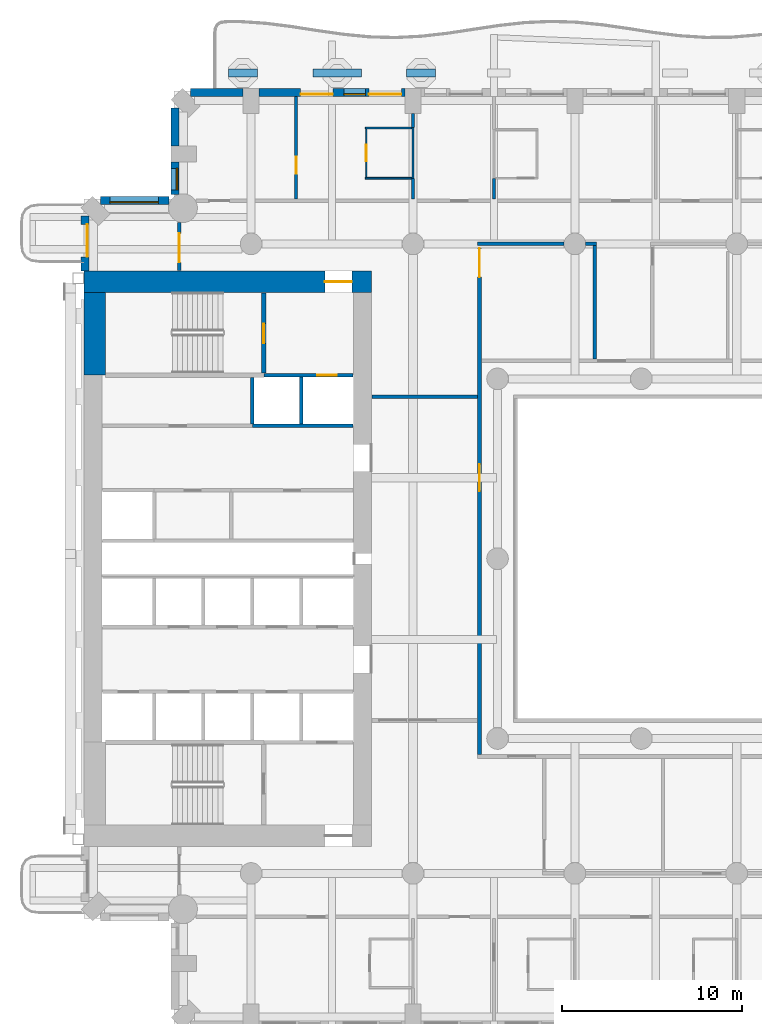
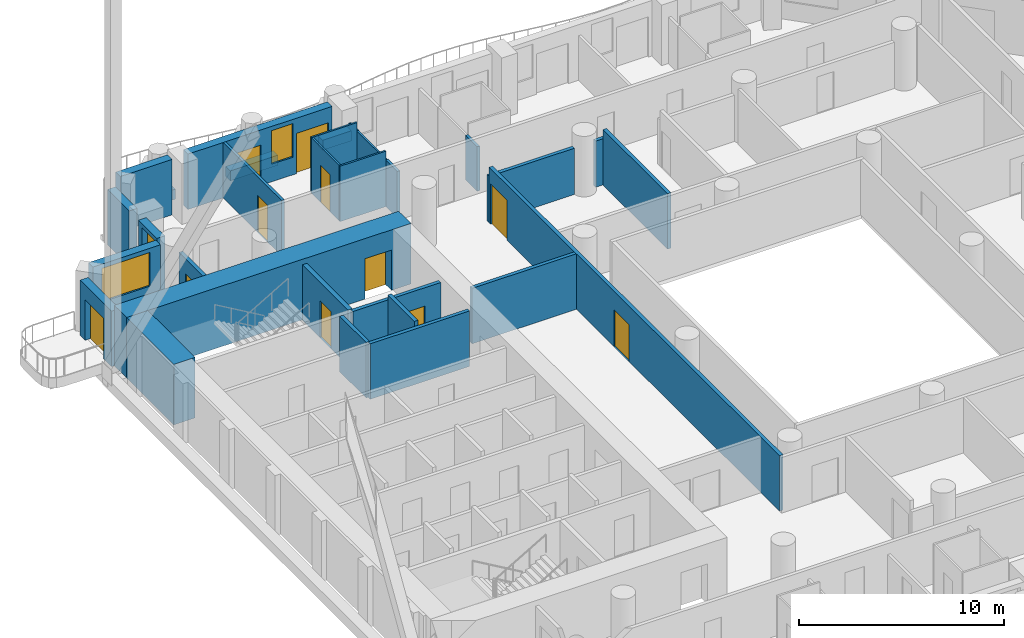
# One storey, part 9 of 24: 30 walls, 11 doors, 3 windows, 14 openings.
"""IFC4 building model written with IfcOpenShell, lengths in metres."""

from ifc_helpers import new_model, si_unit, direction, frame, frame_2d, origin, place, context, subcontext, project, spatial, rectangle, extrude, material, layer, layer_set, type_object, element, fill, save


model = new_model("IFC4")

# Units and contexts
model_context = context("Model", 3, precision=1e-05, world=origin(), true_north=direction((0.0, 1.0)))
body_context = subcontext(model_context, "Body", "Model", "MODEL_VIEW")
ifc_project = project(units=[si_unit("LENGTHUNIT", "METRE"), si_unit("AREAUNIT", "SQUARE_METRE"), si_unit("VOLUMEUNIT", "CUBIC_METRE"), si_unit("PLANEANGLEUNIT", "RADIAN"), si_unit("MASSUNIT", "GRAM", prefix="KILO")], contexts=[model_context])

# Site, building, storey
site_placement = place(None, origin())
site = spatial("IfcSite", under=ifc_project, at=site_placement, CompositionType="ELEMENT")
building_placement = place(site_placement, origin())
building = spatial("IfcBuilding", under=site, at=building_placement, Name="Cypress Arch Tower", CompositionType="ELEMENT")
storey_placement = place(building_placement, frame((0.0, 0.0, 102.300048828125)))
storey = spatial("IfcBuildingStorey", under=building, at=storey_placement, Name="L20", CompositionType="ELEMENT", Elevation=102.300048828125)

# Walls
ifc_material_1 = material(Name="Concrete C40/50, waterproofed", Category="concrete")
ifc_layer_1 = layer(ifc_material_1, 0.449951171875)
ifc_layer_set_1 = layer_set([ifc_layer_1], Name="Balcony planter wall PW450")
wall_type_1 = type_object("IfcWallType", Name="Balcony planter wall PW450", PredefinedType="SOLIDWALL", material=ifc_layer_set_1)
wall_1_placement = place(storey_placement, frame((-10.4375, 27.0, 0.0), z_axis=(0.0, 0.0, 1.0), x_axis=(-1.0, 0.0, 0.0)))
element("IfcWall", 1, at=wall_1_placement, inside=storey, type_object=wall_type_1, Name="Balcony planter wall L20-A08.4", PredefinedType="SOLIDWALL", context=body_context, shape_type="SweptSolid", body=[
    extrude(rectangle(XDim=1.612548828125, YDim=0.449951171875, at=frame_2d((0.80615234375, 0.0))), origin(), (0.0, 0.0, 1.0), 0.599853515625),
])
wall_2_placement = place(storey_placement, frame((-14.574951171875, 27.0, 0.0), z_axis=(0.0, 0.0, 1.0), x_axis=(-1.0, 0.0, 0.0)))
element("IfcWall", 2, at=wall_2_placement, inside=storey, type_object=wall_type_1, Name="Balcony planter wall L20-A08.5", PredefinedType="SOLIDWALL", context=body_context, shape_type="SweptSolid", body=[
    extrude(rectangle(XDim=2.675048828125, YDim=0.449951171875, at=frame_2d((1.33740234375, 0.0))), origin(), (0.0, 0.0, 1.0), 0.599853515625),
])
wall_3_placement = place(storey_placement, frame((-20.35009765625, 27.0, 0.0), z_axis=(0.0, 0.0, 1.0), x_axis=(-1.0, 0.0, 0.0)))
element("IfcWall", 3, at=wall_3_placement, inside=storey, type_object=wall_type_1, Name="Balcony planter wall L20-A08.6", PredefinedType="SOLIDWALL", context=body_context, shape_type="SweptSolid", body=[
    extrude(rectangle(XDim=1.599853515625, YDim=0.449951171875, at=frame_2d((0.7998046875, 0.0))), origin(), (0.0, 0.0, 1.0), 0.599853515625),
])

# Wall, opening, door
ifc_material_2 = material(Name="Brick (red buff blend)", Category="masonry")
ifc_layer_2 = layer(ifc_material_2, 0.449951171875)
ifc_layer_set_2 = layer_set([ifc_layer_2], Name="Brick pier and spandrel wall BW450")
wall_type_2 = type_object("IfcWallType", Name="Brick pier and spandrel wall BW450", PredefinedType="SOLIDWALL", material=ifc_layer_set_2)
wall_4_placement = place(storey_placement, frame((-29.925048828125, 19.063720703125, 0.0), z_axis=(0.0, 0.0, 1.0), x_axis=(0.0, -1.0, 0.0)))
wall_4 = element("IfcWall", 4, at=wall_4_placement, inside=storey, type_object=wall_type_2, Name="Brick wall L20 A00.0", PredefinedType="SOLIDWALL", context=body_context, shape_type="SweptSolid", body=[
    extrude(rectangle(XDim=3.063720703125, YDim=0.449951171875, at=frame_2d((1.53173828125, 0.0))), origin(), (0.0, 0.0, 1.0), 3.300048828125),
])
opening_1_placement = place(wall_4_placement, frame((0.481689453125, 0.0, 0.0)))
opening_1 = element("IfcOpeningElement", 5, at=opening_1_placement, cuts=wall_4, Name="Opening D-L20-A00.0.1", PredefinedType="OPENING", context=body_context, shape_type="SweptSolid", body=[
    extrude(rectangle(XDim=1.800048828125, YDim=2.39990234375, at=frame_2d((0.89990234375, 1.199951171875))), frame((0.0, 0.23486328125, 0.0), z_axis=(0.0, -1.0, 0.0), x_axis=(1.0, 0.0, 0.0)), (0.0, 0.0, 1.0), 0.469970703125),
])
ifc_material_3 = material(Name="Anodised aluminium, bronze finish, laminated low-emissivity double glazing, large-missile impact rated", Category="aluminium")
door_type_1 = type_object("IfcDoorType", Name="Balcony sliding door 1800x2400", OperationType="SLIDING_TO_LEFT", PredefinedType="DOOR", material=ifc_material_3)
door_1_placement = place(opening_1_placement, origin())
door_1 = element("IfcDoor", 6, at=door_1_placement, inside=storey, type_object=door_type_1, Name="Balcony door L20 A00.0.1", OperationType="SLIDING_TO_LEFT", OverallHeight=2.39990234375, OverallWidth=1.800048828125, PredefinedType="DOOR", context=body_context, shape_type="SweptSolid", body=[
    extrude(rectangle(XDim=1.800048828125, YDim=2.39990234375, at=frame_2d((0.89990234375, 1.199951171875))), frame((0.0, 0.1298828125, 0.0), z_axis=(0.0, -1.0, 0.0), x_axis=(1.0, 0.0, 0.0)), (0.0, 0.0, 1.0), 0.050048828125),
])
fill(opening_1, door_1)

# Wall, openings, doors, window
wall_5_placement = place(storey_placement, frame((-12.14990234375, 25.925048828125, 0.0), z_axis=(0.0, 0.0, 1.0), x_axis=(-1.0, 0.0, 0.0)))
wall_5 = element("IfcWall", 7, at=wall_5_placement, inside=storey, type_object=wall_type_2, Name="Brick wall L20 A08.3", PredefinedType="SOLIDWALL", context=body_context, shape_type="SweptSolid", body=[
    extrude(rectangle(XDim=8.10009765625, YDim=0.449951171875, at=frame_2d((4.050048828125, 0.0))), origin(), (0.0, 0.0, 1.0), 3.300048828125),
])
opening_2_placement = place(wall_5_placement, frame((0.199951171875, 0.0, 0.0)))
opening_2 = element("IfcOpeningElement", 8, at=opening_2_placement, cuts=wall_5, Name="Opening D-L20-A08.3.1", PredefinedType="OPENING", context=body_context, shape_type="SweptSolid", body=[
    extrude(rectangle(XDim=1.800048828125, YDim=2.39990234375, at=frame_2d((0.89990234375, 1.199951171875))), frame((0.0, 0.23486328125, 0.0), z_axis=(0.0, -1.0, 0.0), x_axis=(1.0, 0.0, 0.0)), (0.0, 0.0, 1.0), 0.469970703125),
])
opening_3_placement = place(wall_5_placement, frame((2.199951171875, 0.0, 1.050048828125)))
opening_3 = element("IfcOpeningElement", 9, at=opening_3_placement, cuts=wall_5, Name="Opening W120HD", PredefinedType="OPENING", context=body_context, shape_type="SweptSolid", body=[
    extrude(rectangle(XDim=1.199951171875, YDim=2.0, at=frame_2d((0.60009765625, 1.0))), frame((0.0, 0.23486328125, 0.0), z_axis=(0.0, -1.0, 0.0), x_axis=(1.0, 0.0, 0.0)), (0.0, 0.0, 1.0), 0.469970703125),
])
opening_4_placement = place(wall_5_placement, frame((4.0, 0.0, 0.0)))
opening_4 = element("IfcOpeningElement", 10, at=opening_4_placement, cuts=wall_5, Name="Opening D-L20-A08.3.2", PredefinedType="OPENING", context=body_context, shape_type="SweptSolid", body=[
    extrude(rectangle(XDim=1.800048828125, YDim=2.39990234375, at=frame_2d((0.89990234375, 1.199951171875))), frame((0.0, 0.23486328125, 0.0), z_axis=(0.0, -1.0, 0.0), x_axis=(1.0, 0.0, 0.0)), (0.0, 0.0, 1.0), 0.469970703125),
])
door_2_placement = place(opening_2_placement, origin())
door_2 = element("IfcDoor", 11, at=door_2_placement, inside=storey, type_object=door_type_1, Name="Balcony door L20 A08.3.1", OperationType="SLIDING_TO_LEFT", OverallHeight=2.39990234375, OverallWidth=1.800048828125, PredefinedType="DOOR", context=body_context, shape_type="SweptSolid", body=[
    extrude(rectangle(XDim=1.800048828125, YDim=2.39990234375, at=frame_2d((0.89990234375, 1.199951171875))), frame((0.0, 0.1298828125, 0.0), z_axis=(0.0, -1.0, 0.0), x_axis=(1.0, 0.0, 0.0)), (0.0, 0.0, 1.0), 0.050048828125),
])
fill(opening_2, door_2)
door_3_placement = place(opening_4_placement, origin())
door_3 = element("IfcDoor", 12, at=door_3_placement, inside=storey, type_object=door_type_1, Name="Balcony door L20 A08.3.2", OperationType="SLIDING_TO_LEFT", OverallHeight=2.39990234375, OverallWidth=1.800048828125, PredefinedType="DOOR", context=body_context, shape_type="SweptSolid", body=[
    extrude(rectangle(XDim=1.800048828125, YDim=2.39990234375, at=frame_2d((0.89990234375, 1.199951171875))), frame((0.0, 0.1298828125, 0.0), z_axis=(0.0, -1.0, 0.0), x_axis=(1.0, 0.0, 0.0)), (0.0, 0.0, 1.0), 0.050048828125),
])
fill(opening_4, door_3)
ifc_material_4 = material(Name="Anodised aluminium, bronze finish, laminated low-emissivity double glazing, large-missile impact rated", Category="aluminium")
window_type_1 = type_object("IfcWindowType", Name="Window Hotel 1200x2000 debris-rated", PartitioningType="SINGLE_PANEL", PredefinedType="WINDOW", material=ifc_material_4)
window_1_placement = place(opening_3_placement, origin())
window_1 = element("IfcWindow", 13, at=window_1_placement, inside=storey, type_object=window_type_1, Name="Window L20 A08.3.1", OverallHeight=2.0, OverallWidth=1.199951171875, PartitioningType="SINGLE_PANEL", PredefinedType="WINDOW", context=body_context, shape_type="SweptSolid", body=[
    extrude(rectangle(XDim=1.199951171875, YDim=2.0, at=frame_2d((0.60009765625, 1.0))), frame((0.0, 0.135009765625, 0.0), z_axis=(0.0, -1.0, 0.0), x_axis=(1.0, 0.0, 0.0)), (0.0, 0.0, 1.0), 0.06005859375),
])
fill(opening_3, window_1)

# Walls
wall_6_placement = place(storey_placement, frame((-21.14990234375, 25.925048828125, 0.0), z_axis=(0.0, 0.0, 1.0), x_axis=(-1.0, 0.0, 0.0)))
element("IfcWall", 14, at=wall_6_placement, inside=storey, type_object=wall_type_2, Name="Brick wall L20 A08.4", PredefinedType="SOLIDWALL", context=body_context, shape_type="SweptSolid", body=[
    extrude(rectangle(XDim=2.913818359375, YDim=0.449951171875, at=frame_2d((1.45703125, 0.0))), origin(), (0.0, 0.0, 1.0), 3.300048828125),
])
wall_7_placement = place(storey_placement, frame((-24.925048828125, 25.063720703125, 0.0), z_axis=(0.0, 0.0, 1.0), x_axis=(0.0, -1.0, 0.0)))
element("IfcWall", 15, at=wall_7_placement, inside=storey, type_object=wall_type_2, Name="Brick wall L20 A09.0", PredefinedType="SOLIDWALL", context=body_context, shape_type="SweptSolid", body=[
    extrude(rectangle(XDim=2.11376953125, YDim=0.449951171875, at=frame_2d((1.056884765625, 0.0))), origin(), (0.0, 0.0, 1.0), 3.300048828125),
])

# Wall, opening, window
wall_8_placement = place(storey_placement, frame((-24.925048828125, 22.050048828125, 0.0), z_axis=(0.0, 0.0, 1.0), x_axis=(0.0, -1.0, 0.0)))
wall_8 = element("IfcWall", 16, at=wall_8_placement, inside=storey, type_object=wall_type_2, Name="Brick wall L20 A09.1", PredefinedType="SOLIDWALL", context=body_context, shape_type="SweptSolid", body=[
    extrude(rectangle(XDim=1.79150390625, YDim=0.449951171875, at=frame_2d((0.895751953125, 0.0))), origin(), (0.0, 0.0, 1.0), 3.300048828125),
])
opening_5_placement = place(wall_8_placement, frame((0.35009765625, 0.0, 1.050048828125)))
opening_5 = element("IfcOpeningElement", 17, at=opening_5_placement, cuts=wall_8, Name="Opening W120H", PredefinedType="OPENING", context=body_context, shape_type="SweptSolid", body=[
    extrude(rectangle(XDim=1.199951171875, YDim=2.0, at=frame_2d((0.60009765625, 1.0))), frame((0.0, 0.23486328125, 0.0), z_axis=(0.0, -1.0, 0.0), x_axis=(1.0, 0.0, 0.0)), (0.0, 0.0, 1.0), 0.469970703125),
])
ifc_material_5 = material(Name="Anodised aluminium, bronze finish, clear low-emissivity double glazing", Category="aluminium")
window_type_2 = type_object("IfcWindowType", Name="Window Hotel 1200x2000", PartitioningType="SINGLE_PANEL", PredefinedType="WINDOW", material=ifc_material_5)
window_2_placement = place(opening_5_placement, origin())
window_2 = element("IfcWindow", 18, at=window_2_placement, inside=storey, type_object=window_type_2, Name="Window L20 A09.1.1", OverallHeight=2.0, OverallWidth=1.199951171875, PartitioningType="SINGLE_PANEL", PredefinedType="WINDOW", context=body_context, shape_type="SweptSolid", body=[
    extrude(rectangle(XDim=1.199951171875, YDim=2.0, at=frame_2d((0.60009765625, 1.0))), frame((0.0, 0.135009765625, 0.0), z_axis=(0.0, -1.0, 0.0), x_axis=(1.0, 0.0, 0.0)), (0.0, 0.0, 1.0), 0.06005859375),
])
fill(opening_5, window_2)

wall_9_placement = place(storey_placement, frame((-25.258544921875, 19.925048828125, 0.0), z_axis=(0.0, 0.0, 1.0), x_axis=(-1.0, 0.0, 0.0)))
wall_9 = element("IfcWall", 19, at=wall_9_placement, inside=storey, type_object=wall_type_2, Name="Brick wall L20 A10.0", PredefinedType="SOLIDWALL", context=body_context, shape_type="SweptSolid", body=[
    extrude(rectangle(XDim=3.80517578125, YDim=0.449951171875, at=frame_2d((1.902587890625, 0.0))), origin(), (0.0, 0.0, 1.0), 3.300048828125),
])
opening_6_placement = place(wall_9_placement, frame((0.591552734375, 0.0, 1.050048828125)))
opening_6 = element("IfcOpeningElement", 20, at=opening_6_placement, cuts=wall_9, Name="Opening W270H", PredefinedType="OPENING", context=body_context, shape_type="SweptSolid", body=[
    extrude(rectangle(XDim=2.699951171875, YDim=2.0, at=frame_2d((1.35009765625, 1.0))), frame((0.0, 0.23486328125, 0.0), z_axis=(0.0, -1.0, 0.0), x_axis=(1.0, 0.0, 0.0)), (0.0, 0.0, 1.0), 0.469970703125),
])
ifc_material_6 = material(Name="Anodised aluminium, bronze finish, clear low-emissivity double glazing", Category="aluminium")
window_type_3 = type_object("IfcWindowType", Name="Window Hotel 2700x2000", PartitioningType="SINGLE_PANEL", PredefinedType="WINDOW", material=ifc_material_6)
window_3_placement = place(opening_6_placement, origin())
window_3 = element("IfcWindow", 21, at=window_3_placement, inside=storey, type_object=window_type_3, Name="Window L20 A10.0.1", OverallHeight=2.0, OverallWidth=2.699951171875, PartitioningType="SINGLE_PANEL", PredefinedType="WINDOW", context=body_context, shape_type="SweptSolid", body=[
    extrude(rectangle(XDim=2.699951171875, YDim=2.0, at=frame_2d((1.35009765625, 1.0))), frame((0.0, 0.135009765625, 0.0), z_axis=(0.0, -1.0, 0.0), x_axis=(1.0, 0.0, 0.0)), (0.0, 0.0, 1.0), 0.06005859375),
])
fill(opening_6, window_3)

# Wall, opening, door
ifc_material_7 = material(Name="Concrete C80/95", Category="concrete")
ifc_layer_3 = layer(ifc_material_7, 1.199951171875)
ifc_layer_set_3 = layer_set([ifc_layer_3], Name="Core wall CW1200 C80/95")
wall_type_3 = type_object("IfcWallType", Name="Core wall CW1200 C80/95", PredefinedType="SHEAR", material=ifc_layer_set_3)
wall_10_placement = place(storey_placement, frame((-30.0, 15.39990234375, 0.0), z_axis=(0.0, 0.0, 1.0), x_axis=(1.0, 0.0, 0.0)))
wall_10 = element("IfcWall", 22, at=wall_10_placement, inside=storey, type_object=wall_type_3, Name="Core wall", PredefinedType="SHEAR", context=body_context, shape_type="SweptSolid", body=[
    extrude(rectangle(XDim=16.0, YDim=1.199951171875, at=frame_2d((8.0, 0.0))), origin(), (0.0, 0.0, 1.0), 3.599853515625),
])
opening_7_placement = place(wall_10_placement, frame((13.39990234375, 0.0, 0.0)))
opening_7 = element("IfcOpeningElement", 23, at=opening_7_placement, cuts=wall_10, Name="Opening D07", PredefinedType="OPENING", context=body_context, shape_type="SweptSolid", body=[
    extrude(rectangle(XDim=1.5, YDim=2.39990234375, at=frame_2d((0.75, 1.199951171875))), frame((0.0, 0.60986328125, 0.0), z_axis=(0.0, -1.0, 0.0), x_axis=(1.0, 0.0, 0.0)), (0.0, 0.0, 1.0), 1.219970703125),
])
ifc_material_8 = material(Name="Steel framed glazed door, fire resisting", Category="steel")
door_type_2 = type_object("IfcDoorType", Name="Lobby door D07 1500x2400", OperationType="DOUBLE_DOOR_SINGLE_SWING", PredefinedType="DOOR", material=ifc_material_8)
door_4_placement = place(opening_7_placement, origin())
door_4 = element("IfcDoor", 24, at=door_4_placement, inside=storey, type_object=door_type_2, Name="Lobby door", OperationType="DOUBLE_DOOR_SINGLE_SWING", OverallHeight=2.39990234375, OverallWidth=1.5, PredefinedType="DOOR", context=body_context, shape_type="SweptSolid", body=[
    extrude(rectangle(XDim=1.5, YDim=2.39990234375, at=frame_2d((0.75, 1.199951171875))), frame((0.0, 0.02490234375, 0.0), z_axis=(0.0, -1.0, 0.0), x_axis=(1.0, 0.0, 0.0)), (0.0, 0.0, 1.0), 0.050048828125),
])
fill(opening_7, door_4)

# Wall
wall_11_placement = place(storey_placement, frame((-29.39990234375, 10.199951171875, 0.0), z_axis=(0.0, 0.0, 1.0), x_axis=(0.0, 1.0, 0.0)))
element("IfcWall", 25, at=wall_11_placement, inside=storey, type_object=wall_type_3, Name="Core wall", PredefinedType="SHEAR", context=body_context, shape_type="SweptSolid", body=[
    extrude(rectangle(XDim=4.60009765625, YDim=1.199951171875, at=frame_2d((2.300048828125, 0.0))), origin(), (0.0, 0.0, 1.0), 3.599853515625),
])

# Wall, opening, door
ifc_material_9 = material(Name="Concrete blockwork, plastered, rated", Category="masonry")
ifc_layer_4 = layer(ifc_material_9, 0.199951171875)
ifc_layer_set_4 = layer_set([ifc_layer_4], Name="Corridor wall FW200")
wall_type_4 = type_object("IfcWallType", Name="Corridor wall FW200", PredefinedType="PARTITIONING", material=ifc_layer_set_4)
wall_12_placement = place(storey_placement, frame((-24.699951171875, 16.030029296875, 0.0), z_axis=(0.0, 0.0, 1.0), x_axis=(0.0, 1.0, 0.0)))
wall_12 = element("IfcWall", 26, at=wall_12_placement, inside=storey, type_object=wall_type_4, Name="Corridor wall", PredefinedType="PARTITIONING", context=body_context, shape_type="SweptSolid", body=[
    extrude(rectangle(XDim=2.670166015625, YDim=0.199951171875, at=frame_2d((1.3349609375, 0.0))), origin(), (0.0, 0.0, 1.0), 3.300048828125),
])
opening_8_placement = place(wall_12_placement, frame((0.449951171875, 0.0, 0.0)))
opening_8 = element("IfcOpeningElement", 27, at=opening_8_placement, cuts=wall_12, Name="Opening D10", PredefinedType="OPENING", context=body_context, shape_type="SweptSolid", body=[
    extrude(rectangle(XDim=1.60009765625, YDim=2.39990234375, at=frame_2d((0.800048828125, 1.199951171875))), frame((0.0, 0.10986328125, 0.0), z_axis=(0.0, -1.0, 0.0), x_axis=(1.0, 0.0, 0.0)), (0.0, 0.0, 1.0), 0.219970703125),
])
ifc_material_10 = material(Name="Black aluminium glazed door", Category="aluminium")
door_type_3 = type_object("IfcDoorType", Name="Amenity door D10 1600x2400", OperationType="DOUBLE_DOOR_SINGLE_SWING", PredefinedType="DOOR", material=ifc_material_10)
door_5_placement = place(opening_8_placement, origin())
door_5 = element("IfcDoor", 28, at=door_5_placement, inside=storey, type_object=door_type_3, Name="Amenity door", OperationType="DOUBLE_DOOR_SINGLE_SWING", OverallHeight=2.39990234375, OverallWidth=1.60009765625, PredefinedType="DOOR", context=body_context, shape_type="SweptSolid", body=[
    extrude(rectangle(XDim=1.60009765625, YDim=2.39990234375, at=frame_2d((0.800048828125, 1.199951171875))), frame((0.0, 0.02490234375, 0.0), z_axis=(0.0, -1.0, 0.0), x_axis=(1.0, 0.0, 0.0)), (0.0, 0.0, 1.0), 0.050048828125),
])
fill(opening_8, door_5)

# Wall
wall_13_placement = place(storey_placement, frame((-13.969970703125, 9.0, 0.0), z_axis=(0.0, 0.0, 1.0), x_axis=(1.0, 0.0, 0.0)))
element("IfcWall", 29, at=wall_13_placement, inside=storey, type_object=wall_type_4, Name="Corridor wall", PredefinedType="PARTITIONING", context=body_context, shape_type="SweptSolid", body=[
    extrude(rectangle(XDim=5.869873046875, YDim=0.199951171875, at=frame_2d((2.93505859375, 0.0))), origin(), (0.0, 0.0, 1.0), 3.300048828125),
])

# Wall, openings, doors
wall_14_placement = place(storey_placement, frame((-8.0, -10.89990234375, 0.0), z_axis=(0.0, 0.0, 1.0), x_axis=(0.0, 1.0, 0.0)))
wall_14 = element("IfcWall", 30, at=wall_14_placement, inside=storey, type_object=wall_type_4, Name="Corridor wall", PredefinedType="PARTITIONING", context=body_context, shape_type="SweptSolid", body=[
    extrude(rectangle(XDim=28.2998046875, YDim=0.199951171875, at=frame_2d((14.14990234375, 0.0))), origin(), (0.0, 0.0, 1.0), 3.300048828125),
])
opening_9_placement = place(wall_14_placement, frame((14.64990234375, 0.0, 0.0)))
opening_9 = element("IfcOpeningElement", 31, at=opening_9_placement, cuts=wall_14, Name="Opening D04", PredefinedType="OPENING", context=body_context, shape_type="SweptSolid", body=[
    extrude(rectangle(XDim=1.5, YDim=2.199951171875, at=frame_2d((0.75, 1.10009765625))), frame((0.0, 0.10986328125, 0.0), z_axis=(0.0, -1.0, 0.0), x_axis=(1.0, 0.0, 0.0)), (0.0, 0.0, 1.0), 0.219970703125),
])
opening_10_placement = place(wall_14_placement, frame((26.550048828125, 0.0, 0.0)))
opening_10 = element("IfcOpeningElement", 32, at=opening_10_placement, cuts=wall_14, Name="Opening D10", PredefinedType="OPENING", context=body_context, shape_type="SweptSolid", body=[
    extrude(rectangle(XDim=1.60009765625, YDim=2.39990234375, at=frame_2d((0.800048828125, 1.199951171875))), frame((0.0, 0.10986328125, 0.0), z_axis=(0.0, -1.0, 0.0), x_axis=(1.0, 0.0, 0.0)), (0.0, 0.0, 1.0), 0.219970703125),
])
door_6_placement = place(opening_10_placement, origin())
door_6 = element("IfcDoor", 33, at=door_6_placement, inside=storey, type_object=door_type_3, Name="Amenity door", OperationType="DOUBLE_DOOR_SINGLE_SWING", OverallHeight=2.39990234375, OverallWidth=1.60009765625, PredefinedType="DOOR", context=body_context, shape_type="SweptSolid", body=[
    extrude(rectangle(XDim=1.60009765625, YDim=2.39990234375, at=frame_2d((0.800048828125, 1.199951171875))), frame((0.0, 0.02490234375, 0.0), z_axis=(0.0, -1.0, 0.0), x_axis=(1.0, 0.0, 0.0)), (0.0, 0.0, 1.0), 0.050048828125),
])
fill(opening_10, door_6)
ifc_material_11 = material(Name="Timber double door", Category="wood")
door_type_4 = type_object("IfcDoorType", Name="Double door D04 1500x2200", OperationType="DOUBLE_DOOR_SINGLE_SWING", PredefinedType="DOOR", material=ifc_material_11)
door_7_placement = place(opening_9_placement, origin())
door_7 = element("IfcDoor", 34, at=door_7_placement, inside=storey, type_object=door_type_4, Name="Double door", OperationType="DOUBLE_DOOR_SINGLE_SWING", OverallHeight=2.199951171875, OverallWidth=1.5, PredefinedType="DOOR", context=body_context, shape_type="SweptSolid", body=[
    extrude(rectangle(XDim=1.5, YDim=2.199951171875, at=frame_2d((0.75, 1.10009765625))), frame((0.0, 0.02490234375, 0.0), z_axis=(0.0, -1.0, 0.0), x_axis=(1.0, 0.0, 0.0)), (0.0, 0.0, 1.0), 0.050048828125),
])
fill(opening_9, door_7)

# Walls
wall_15_placement = place(storey_placement, frame((-8.10009765625, 17.5, 0.0), z_axis=(0.0, 0.0, 1.0), x_axis=(1.0, 0.0, 0.0)))
element("IfcWall", 35, at=wall_15_placement, inside=storey, type_object=wall_type_4, Name="Corridor wall", PredefinedType="PARTITIONING", context=body_context, shape_type="SweptSolid", body=[
    extrude(rectangle(XDim=4.800048828125, YDim=0.199951171875, at=frame_2d((2.39990234375, 0.0))), origin(), (0.0, 0.0, 1.0), 2.75),
])
wall_16_placement = place(storey_placement, frame((-2.10009765625, 17.5, 0.0), z_axis=(0.0, 0.0, 1.0), x_axis=(1.0, 0.0, 0.0)))
element("IfcWall", 36, at=wall_16_placement, inside=storey, type_object=wall_type_4, Name="Corridor wall", PredefinedType="PARTITIONING", context=body_context, shape_type="SweptSolid", body=[
    extrude(rectangle(XDim=0.60009765625, YDim=0.199951171875, at=frame_2d((0.300048828125, 0.0))), origin(), (0.0, 0.0, 1.0), 2.75),
])
wall_17_placement = place(storey_placement, frame((-1.60009765625, 11.10009765625, 0.0), z_axis=(0.0, 0.0, 1.0), x_axis=(0.0, 1.0, 0.0)))
element("IfcWall", 37, at=wall_17_placement, inside=storey, type_object=wall_type_4, Name="Corridor wall", PredefinedType="PARTITIONING", context=body_context, shape_type="SweptSolid", body=[
    extrude(rectangle(XDim=6.2998046875, YDim=0.199951171875, at=frame_2d((3.14990234375, 0.0))), origin(), (0.0, 0.0, 1.0), 3.300048828125),
])

# Wall, opening, door
ifc_material_12 = material(Name="Blockwork, plastered both sides", Category="masonry")
ifc_layer_5 = layer(ifc_material_12, 0.14990234375)
ifc_layer_set_5 = layer_set([ifc_layer_5], Name="Partition PW150")
wall_type_5 = type_object("IfcWallType", Name="Partition PW150", PredefinedType="PARTITIONING", material=ifc_layer_set_5)
wall_18_placement = place(storey_placement, frame((-18.199951171875, 20.0, 0.0), z_axis=(0.0, 0.0, 1.0), x_axis=(0.0, 1.0, 0.0)))
wall_18 = element("IfcWall", 38, at=wall_18_placement, inside=storey, type_object=wall_type_5, Name="Partition", PredefinedType="PARTITIONING", context=body_context, shape_type="SweptSolid", body=[
    extrude(rectangle(XDim=5.699951171875, YDim=0.14990234375, at=frame_2d((2.85009765625, 0.0))), origin(), (0.0, 0.0, 1.0), 3.300048828125),
])
opening_11_placement = place(wall_18_placement, frame((1.39990234375, 0.0, 0.0)))
opening_11 = element("IfcOpeningElement", 39, at=opening_11_placement, cuts=wall_18, Name="Opening D12", PredefinedType="OPENING", context=body_context, shape_type="SweptSolid", body=[
    extrude(rectangle(XDim=0.949951171875, YDim=2.199951171875, at=frame_2d((0.47509765625, 1.10009765625))), frame((0.0, 0.0849609375, 0.0), z_axis=(0.0, -1.0, 0.0), x_axis=(1.0, 0.0, 0.0)), (0.0, 0.0, 1.0), 0.169921875),
])
ifc_material_13 = material(Name="Timber flush door", Category="wood")
door_type_5 = type_object("IfcDoorType", Name="Room door D12 950x2200", OperationType="SINGLE_SWING_LEFT", PredefinedType="DOOR", material=ifc_material_13)
door_8_placement = place(opening_11_placement, origin())
door_8 = element("IfcDoor", 40, at=door_8_placement, inside=storey, type_object=door_type_5, Name="Room door", OperationType="SINGLE_SWING_LEFT", OverallHeight=2.199951171875, OverallWidth=0.949951171875, PredefinedType="DOOR", context=body_context, shape_type="SweptSolid", body=[
    extrude(rectangle(XDim=0.949951171875, YDim=2.199951171875, at=frame_2d((0.47509765625, 1.10009765625))), frame((0.0, 0.02490234375, 0.0), z_axis=(0.0, -1.0, 0.0), x_axis=(1.0, 0.0, 0.0)), (0.0, 0.0, 1.0), 0.050048828125),
])
fill(opening_11, door_8)

# Walls
wall_19_placement = place(storey_placement, frame((-11.699951171875, 20.0, 0.0), z_axis=(0.0, 0.0, 1.0), x_axis=(0.0, 1.0, 0.0)))
element("IfcWall", 41, at=wall_19_placement, inside=storey, type_object=wall_type_5, Name="Partition", PredefinedType="PARTITIONING", context=body_context, shape_type="SweptSolid", body=[
    extrude(rectangle(XDim=1.1298828125, YDim=0.14990234375, at=frame_2d((0.56494140625, 0.0))), origin(), (0.0, 0.0, 1.0), 2.75),
])
wall_20_placement = place(storey_placement, frame((-11.699951171875, 23.969970703125, 0.0), z_axis=(0.0, 0.0, 1.0), x_axis=(0.0, 1.0, 0.0)))
element("IfcWall", 42, at=wall_20_placement, inside=storey, type_object=wall_type_5, Name="Partition", PredefinedType="PARTITIONING", context=body_context, shape_type="SweptSolid", body=[
    extrude(rectangle(XDim=0.780029296875, YDim=0.14990234375, at=frame_2d((0.39013671875, 0.0))), origin(), (0.0, 0.0, 1.0), 2.75),
])
wall_21_placement = place(storey_placement, frame((-7.199951171875, 20.0, 0.0), z_axis=(0.0, 0.0, 1.0), x_axis=(0.0, 1.0, 0.0)))
element("IfcWall", 43, at=wall_21_placement, inside=storey, type_object=wall_type_5, Name="Partition", PredefinedType="PARTITIONING", context=body_context, shape_type="SweptSolid", body=[
    extrude(rectangle(XDim=1.1298828125, YDim=0.14990234375, at=frame_2d((0.56494140625, 0.0))), origin(), (0.0, 0.0, 1.0), 2.64990234375),
])
ifc_material_14 = material(Name="Concrete C50/60", Category="concrete")
ifc_layer_6 = layer(ifc_material_14, 0.199951171875)
ifc_layer_set_6 = layer_set([ifc_layer_6], Name="Shaft wall SH200")
wall_type_6 = type_object("IfcWallType", Name="Shaft wall SH200", PredefinedType="SHEAR", material=ifc_layer_set_6)
wall_22_placement = place(storey_placement, frame((-20.639892578125, 7.5, 0.0), z_axis=(0.0, 0.0, 1.0), x_axis=(0.0, 1.0, 0.0)))
element("IfcWall", 44, at=wall_22_placement, inside=storey, type_object=wall_type_6, Name="Shaft wall", PredefinedType="SHEAR", context=body_context, shape_type="SweptSolid", body=[
    extrude(rectangle(XDim=2.574951171875, YDim=0.199951171875, at=frame_2d((1.28759765625, 0.0))), origin(), (0.0, 0.0, 1.0), 3.300048828125),
])
wall_23_placement = place(storey_placement, frame((-20.6201171875, 7.39990234375, 0.0), z_axis=(0.0, 0.0, 1.0), x_axis=(1.0, 0.0, 0.0)))
element("IfcWall", 45, at=wall_23_placement, inside=storey, type_object=wall_type_6, Name="Shaft wall", PredefinedType="SHEAR", context=body_context, shape_type="SweptSolid", body=[
    extrude(rectangle(XDim=5.590087890625, YDim=0.199951171875, at=frame_2d((2.794921875, 0.0))), origin(), (0.0, 0.0, 1.0), 3.300048828125),
])

# Wall, opening, door
wall_24_placement = place(storey_placement, frame((-19.97998046875, 10.199951171875, 0.0), z_axis=(0.0, 0.0, 1.0), x_axis=(1.0, 0.0, 0.0)))
wall_24 = element("IfcWall", 46, at=wall_24_placement, inside=storey, type_object=wall_type_6, Name="Shaft wall", PredefinedType="SHEAR", context=body_context, shape_type="SweptSolid", body=[
    extrude(rectangle(XDim=4.949951171875, YDim=0.199951171875, at=frame_2d((2.47509765625, 0.0))), origin(), (0.0, 0.0, 1.0), 3.300048828125),
])
opening_12_placement = place(wall_24_placement, frame((2.949951171875, 0.0, 0.0)))
opening_12 = element("IfcOpeningElement", 47, at=opening_12_placement, cuts=wall_24, Name="Opening LD-FL2", PredefinedType="OPENING", context=body_context, shape_type="SweptSolid", body=[
    extrude(rectangle(XDim=1.10009765625, YDim=2.199951171875, at=frame_2d((0.550048828125, 1.10009765625))), frame((0.0, 0.10986328125, 0.0), z_axis=(0.0, -1.0, 0.0), x_axis=(1.0, 0.0, 0.0)), (0.0, 0.0, 1.0), 0.219970703125),
])
ifc_material_15 = material(Name="Stainless steel centre-opening landing door, rated", Category="steel")
door_type_6 = type_object("IfcDoorType", Name="Lift landing door LD 1100x2200", OperationType="DOUBLE_DOOR_SLIDING", PredefinedType="DOOR", material=ifc_material_15)
door_9_placement = place(opening_12_placement, origin())
door_9 = element("IfcDoor", 48, at=door_9_placement, inside=storey, type_object=door_type_6, Name="Lift landing doors FL2", OperationType="DOUBLE_DOOR_SLIDING", OverallHeight=2.199951171875, OverallWidth=1.10009765625, PredefinedType="DOOR", context=body_context, shape_type="SweptSolid", body=[
    extrude(rectangle(XDim=1.10009765625, YDim=2.199951171875, at=frame_2d((0.550048828125, 1.10009765625))), frame((0.0, 0.02490234375, 0.0), z_axis=(0.0, -1.0, 0.0), x_axis=(1.0, 0.0, 0.0)), (0.0, 0.0, 1.0), 0.050048828125),
])
fill(opening_12, door_9)

# Wall
wall_25_placement = place(storey_placement, frame((-17.919921875, 7.5, 0.0), z_axis=(0.0, 0.0, 1.0), x_axis=(0.0, 1.0, 0.0)))
element("IfcWall", 49, at=wall_25_placement, inside=storey, type_object=wall_type_6, Name="Shaft wall", PredefinedType="SHEAR", context=body_context, shape_type="SweptSolid", body=[
    extrude(rectangle(XDim=2.60009765625, YDim=0.199951171875, at=frame_2d((1.300048828125, 0.0))), origin(), (0.0, 0.0, 1.0), 3.599853515625),
])

# Wall, opening, door
ifc_material_16 = material(Name="Concrete C50/60", Category="concrete")
ifc_layer_7 = layer(ifc_material_16, 0.25)
ifc_layer_set_7 = layer_set([ifc_layer_7], Name="Stair enclosure wall SW250")
wall_type_7 = type_object("IfcWallType", Name="Stair enclosure wall SW250", PredefinedType="SHEAR", material=ifc_layer_set_7)
wall_26_placement = place(storey_placement, frame((-20.0, 10.324951171875, 0.0), z_axis=(0.0, 0.0, 1.0), x_axis=(0.0, 1.0, 0.0)))
wall_26 = element("IfcWall", 50, at=wall_26_placement, inside=storey, type_object=wall_type_7, Name="Stair enclosure wall", PredefinedType="SHEAR", context=body_context, shape_type="SweptSolid", body=[
    extrude(rectangle(XDim=4.445068359375, YDim=0.25, at=frame_2d((2.22265625, 0.0))), origin(), (0.0, 0.0, 1.0), 3.300048828125),
])
opening_13_placement = place(wall_26_placement, frame((1.64990234375, 0.0, 0.0)))
opening_13 = element("IfcOpeningElement", 51, at=opening_13_placement, cuts=wall_26, Name="Opening D06", PredefinedType="OPENING", context=body_context, shape_type="SweptSolid", body=[
    extrude(rectangle(XDim=1.10009765625, YDim=2.199951171875, at=frame_2d((0.550048828125, 1.10009765625))), frame((0.0, 0.135009765625, 0.0), z_axis=(0.0, -1.0, 0.0), x_axis=(1.0, 0.0, 0.0)), (0.0, 0.0, 1.0), 0.27001953125),
])
ifc_material_17 = material(Name="Steel door, fire resisting, panic bar", Category="steel")
door_type_7 = type_object("IfcDoorType", Name="Stair door D06 1100x2200", OperationType="SINGLE_SWING_LEFT", PredefinedType="DOOR", material=ifc_material_17)
door_10_placement = place(opening_13_placement, origin())
door_10 = element("IfcDoor", 52, at=door_10_placement, inside=storey, type_object=door_type_7, Name="Stair door", OperationType="SINGLE_SWING_LEFT", OverallHeight=2.199951171875, OverallWidth=1.10009765625, PredefinedType="DOOR", context=body_context, shape_type="SweptSolid", body=[
    extrude(rectangle(XDim=1.10009765625, YDim=2.199951171875, at=frame_2d((0.550048828125, 1.10009765625))), frame((0.0, 0.02490234375, 0.0), z_axis=(0.0, -1.0, 0.0), x_axis=(1.0, 0.0, 0.0)), (0.0, 0.0, 1.0), 0.050048828125),
])
fill(opening_13, door_10)

ifc_material_18 = material(Name="Moisture resistant board on steel studs, tiled", Category="steel")
ifc_layer_8 = layer(ifc_material_18, 0.10009765625)
ifc_layer_set_8 = layer_set([ifc_layer_8], Name="Wet wall PW100")
wall_type_8 = type_object("IfcWallType", Name="Wet wall PW100", PredefinedType="PARTITIONING", material=ifc_layer_set_8)
wall_27_placement = place(storey_placement, frame((-14.2958984375, 21.199951171875, 0.0), z_axis=(0.0, 0.0, 1.0), x_axis=(0.0, 1.0, 0.0)))
wall_27 = element("IfcWall", 53, at=wall_27_placement, inside=storey, type_object=wall_type_8, Name="Wet wall", PredefinedType="PARTITIONING", context=body_context, shape_type="SweptSolid", body=[
    extrude(rectangle(XDim=2.699951171875, YDim=0.10009765625, at=frame_2d((1.35009765625, 0.0))), origin(), (0.0, 0.0, 1.0), 3.300048828125),
])
opening_14_placement = place(wall_27_placement, frame((0.89990234375, 0.0, 0.0)))
opening_14 = element("IfcOpeningElement", 54, at=opening_14_placement, cuts=wall_27, Name="Opening D03", PredefinedType="OPENING", context=body_context, shape_type="SweptSolid", body=[
    extrude(rectangle(XDim=0.89990234375, YDim=2.199951171875, at=frame_2d((0.449951171875, 1.10009765625))), frame((0.0, 0.06005859375, 0.0), z_axis=(0.0, -1.0, 0.0), x_axis=(1.0, 0.0, 0.0)), (0.0, 0.0, 1.0), 0.1201171875),
])
ifc_material_19 = material(Name="Timber flush door, moisture resistant", Category="wood")
door_type_8 = type_object("IfcDoorType", Name="Bathroom door D03 900x2200", OperationType="SINGLE_SWING_LEFT", PredefinedType="DOOR", material=ifc_material_19)
door_11_placement = place(opening_14_placement, origin())
door_11 = element("IfcDoor", 55, at=door_11_placement, inside=storey, type_object=door_type_8, Name="Bathroom door", OperationType="SINGLE_SWING_LEFT", OverallHeight=2.199951171875, OverallWidth=0.89990234375, PredefinedType="DOOR", context=body_context, shape_type="SweptSolid", body=[
    extrude(rectangle(XDim=0.89990234375, YDim=2.199951171875, at=frame_2d((0.449951171875, 1.10009765625))), frame((0.0, 0.02490234375, 0.0), z_axis=(0.0, -1.0, 0.0), x_axis=(1.0, 0.0, 0.0)), (0.0, 0.0, 1.0), 0.050048828125),
])
fill(opening_14, door_11)

# Walls
for number, where, z_axis, x_axis, name in (
    (56, (-14.345947265625, 21.14990234375, 0.0), (0.0, 0.0, 1.0), (1.0, 0.0, 0.0), "Wet wall"),
    (57, (-14.345947265625, 23.949951171875, 0.0), (0.0, 0.0, 1.0), (1.0, 0.0, 0.0), "Wet wall"),
):
    element("IfcWall", number, at=place(storey_placement, frame(where, z_axis=z_axis, x_axis=x_axis)), inside=storey, type_object=wall_type_8, Name=name, PredefinedType="PARTITIONING", context=body_context, shape_type="SweptSolid", body=[
        extrude(rectangle(XDim=2.571044921875, YDim=0.10009765625, at=frame_2d((1.28564453125, 0.0))), origin(), (0.0, 0.0, 1.0), 3.300048828125),
    ])
wall_28_placement = place(storey_placement, frame((-11.699951171875, 21.1298828125, 0.0), z_axis=(0.0, 0.0, 1.0), x_axis=(0.0, 1.0, 0.0)))
element("IfcWall", 58, at=wall_28_placement, inside=storey, type_object=wall_type_8, Name="Wet wall", PredefinedType="PARTITIONING", context=body_context, shape_type="SweptSolid", body=[
    extrude(rectangle(XDim=2.840087890625, YDim=0.10009765625, at=frame_2d((1.419921875, 0.0))), origin(), (0.0, 0.0, 1.0), 2.75),
])

save(model, "model.ifc")
